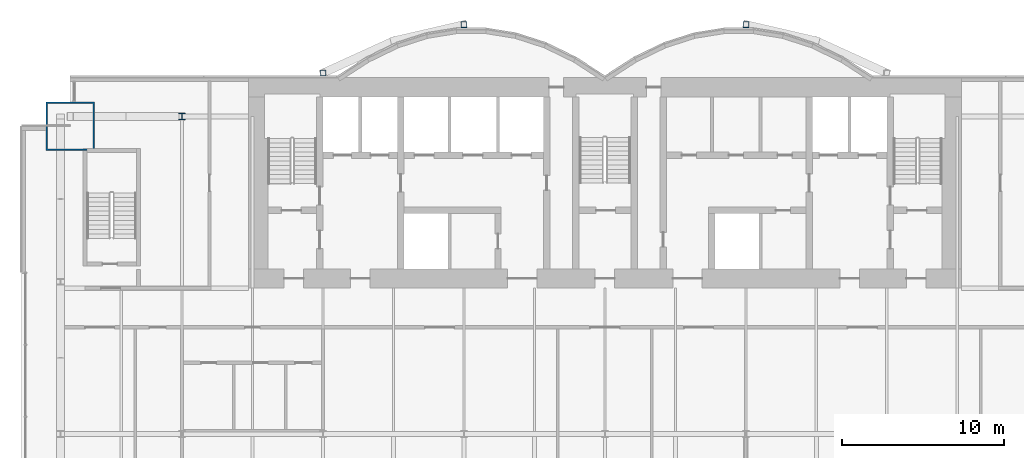
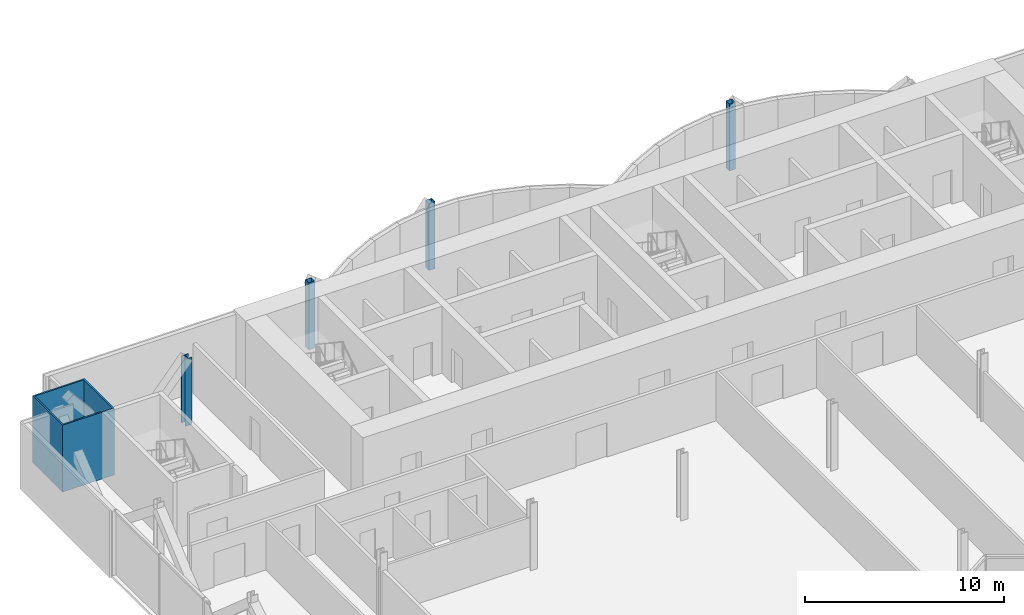
# One storey, part 2 of 21: 5 columns.
"""IFC4 building model written with IfcOpenShell, lengths in metres."""

from ifc_helpers import new_model, si_unit, direction, frame, origin, origin_2d, place, context, subcontext, project, spatial, hollow_rectangle, i_section, extrude, material, material_profile, profile_set, type_object, element, save


model = new_model("IFC4")

# Units and contexts
model_context = context("Model", 3, precision=1e-05, world=origin(), true_north=direction((0.0, 1.0)))
body_context = subcontext(model_context, "Body", "Model", "MODEL_VIEW")
ifc_project = project(units=[si_unit("LENGTHUNIT", "METRE"), si_unit("AREAUNIT", "SQUARE_METRE"), si_unit("VOLUMEUNIT", "CUBIC_METRE"), si_unit("PLANEANGLEUNIT", "RADIAN"), si_unit("MASSUNIT", "GRAM", prefix="KILO")], contexts=[model_context])

# Site, building, storey
site_placement = place(None, origin())
site = spatial("IfcSite", under=ifc_project, at=site_placement, CompositionType="ELEMENT")
building_placement = place(site_placement, origin())
building = spatial("IfcBuilding", under=site, at=building_placement, Name="Bicima Exchange Tower", CompositionType="ELEMENT")
storey_placement = place(building_placement, frame((0.0, 0.0, 114.5)))
storey = spatial("IfcBuildingStorey", under=building, at=storey_placement, Name="L24", CompositionType="ELEMENT", Elevation=114.5)

# Columns
ifc_material_1 = material(Name="Steel ASTM A572 Gr 50", Category="steel")
ifc_material_profile_1 = material_profile(ifc_material_1, hollow_rectangle(XDim=3.0, YDim=3.0, WallThickness=0.090087890625, at=origin_2d()))
ifc_profile_set_1 = profile_set([ifc_material_profile_1], Name="Steel ASTM A572 Gr 50")
column_type_1 = type_object("IfcColumnType", Name="Mega column BOX 3000x3000x90", PredefinedType="COLUMN", material=ifc_profile_set_1)
column_1_placement = place(storey_placement, frame((-33.0, -3.0, 0.0), z_axis=(0.0, 0.0, 1.0), x_axis=(1.0, 0.0, 0.0)))
element("IfcColumn", 1, at=column_1_placement, inside=storey, type_object=column_type_1, Name="Mega column mega-33.0r", PredefinedType="COLUMN", context=body_context, shape_type="SweptSolid", body=[
    extrude(hollow_rectangle(XDim=3.0, YDim=3.0, WallThickness=0.090087890625, at=origin_2d()), origin(), (0.0, 0.0, 1.0), 4.10009765625),
])
ifc_material_2 = material(Name="Steel ASTM A992 Gr 50", Category="steel")
ifc_material_profile_2 = material_profile(ifc_material_2, i_section(OverallWidth=0.398681640625, OverallDepth=0.393798828125, WebThickness=0.022705078125, FlangeThickness=0.03662109375, at=origin_2d()))
ifc_profile_set_2 = profile_set([ifc_material_profile_2], Name="Steel ASTM A992 Gr 50")
column_type_2 = type_object("IfcColumnType", Name="Perimeter column W14x193", PredefinedType="COLUMN", material=ifc_profile_set_2)
column_2_placement = place(storey_placement, frame((-26.10009765625, -2.39990234375, 0.0), z_axis=(0.0, 0.0, 1.0), x_axis=(1.0, 0.0, 0.0)))
element("IfcColumn", 2, at=column_2_placement, inside=storey, type_object=column_type_2, Name="Perimeter column grav-26.1r", PredefinedType="COLUMN", context=body_context, shape_type="SweptSolid", body=[
    extrude(i_section(OverallWidth=0.398681640625, OverallDepth=0.393798828125, WebThickness=0.022705078125, FlangeThickness=0.03662109375, at=origin_2d()), origin(), (0.0, 0.0, 1.0), 4.10009765625),
])
ifc_material_profile_3 = material_profile(ifc_material_1, hollow_rectangle(XDim=0.355712890625, YDim=0.355712890625, WallThickness=0.01171875, at=origin_2d()))
ifc_profile_set_3 = profile_set([ifc_material_profile_3], Name="Steel ASTM A572 Gr 50")
column_type_3 = type_object("IfcColumnType", Name="Rear pilaster HSS14x14x1/2", PredefinedType="COLUMN", material=ifc_profile_set_3)
for number, where, z_axis, x_axis, name in (
    (3, (-8.699951171875, 3.26904296875, 0.0), (0.0, 0.0, 1.0), (1.0, 0.0, 0.0), "Rear pilaster rexo-8.7r"),
    (4, (-17.39990234375, 0.278076171875, 0.0), (0.0, 0.0, 1.0), (1.0, 0.0, 0.0), "Rear pilaster rexo-17.4r"),
    (5, (8.699951171875, 3.26904296875, 0.0), (0.0, 0.0, 1.0), (1.0, 0.0, 0.0), "Rear pilaster rexo+8.7r"),
):
    element("IfcColumn", number, at=place(storey_placement, frame(where, z_axis=z_axis, x_axis=x_axis)), inside=storey, type_object=column_type_3, Name=name, PredefinedType="COLUMN", context=body_context, shape_type="SweptSolid", body=[
        extrude(hollow_rectangle(XDim=0.355712890625, YDim=0.355712890625, WallThickness=0.01171875, at=origin_2d()), origin(), (0.0, 0.0, 1.0), 4.10009765625),
    ])

save(model, "model.ifc")
